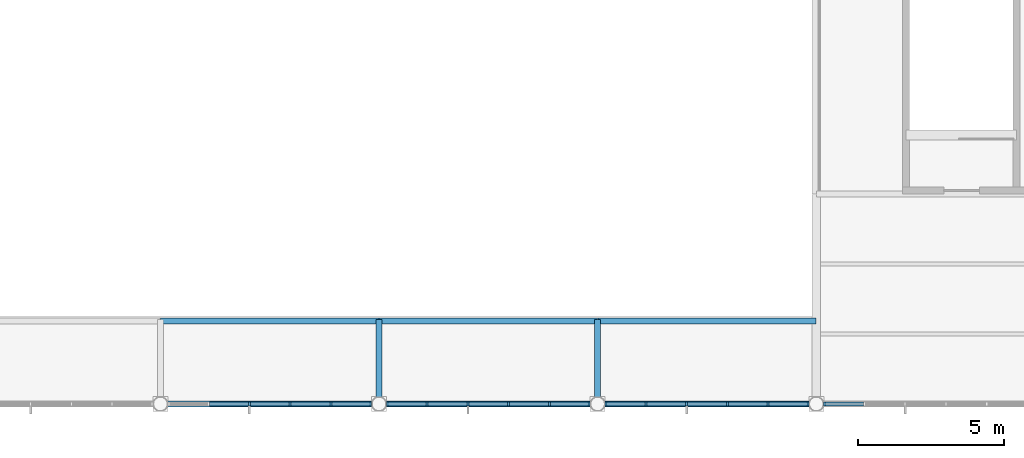
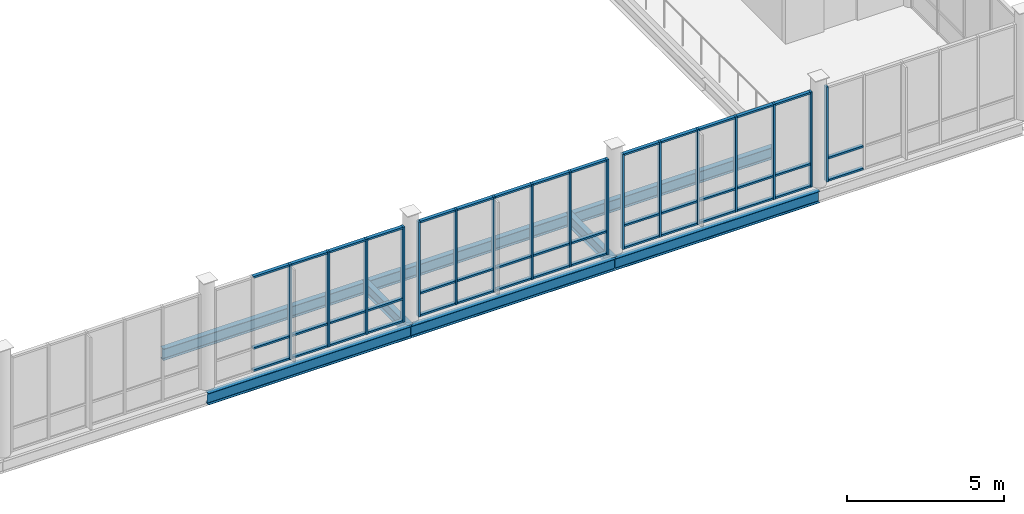
# One storey, part 20 of 75: 61 members, 8 beams, 4 elements without a shape of their own.
"""IFC4 building model written with IfcOpenShell, lengths in metres."""

from ifc_helpers import new_model, si_unit, direction, frame, origin, origin_2d, place, context, subcontext, project, spatial, rectangle, i_section, extrude, material, layer, layer_set, material_profile, profile_set, type_object, element, aggregate, save


model = new_model("IFC4")

# Units and contexts
model_context = context("Model", 3, precision=1e-05, world=origin(), true_north=direction((0.0, 1.0)))
body_context = subcontext(model_context, "Body", "Model", "MODEL_VIEW")
ifc_project = project(units=[si_unit("LENGTHUNIT", "METRE"), si_unit("AREAUNIT", "SQUARE_METRE"), si_unit("VOLUMEUNIT", "CUBIC_METRE"), si_unit("PLANEANGLEUNIT", "RADIAN"), si_unit("MASSUNIT", "GRAM", prefix="KILO")], contexts=[model_context])

# Site, building, storey
site_placement = place(None, origin())
site = spatial("IfcSite", under=ifc_project, at=site_placement, CompositionType="ELEMENT")
building_placement = place(site_placement, origin())
building = spatial("IfcBuilding", under=site, at=building_placement, Name="Yukiwa Park Conservatory and Herbarium", CompositionType="ELEMENT")
storey_placement = place(building_placement, frame((0.0, 0.0, 4.800048828125)))
storey = spatial("IfcBuildingStorey", under=building, at=storey_placement, Name="L01", CompositionType="ELEMENT", Elevation=4.800048828125)

# Beams
ifc_material_1 = material(Name="Steel Q355D", Category="steel")
ifc_material_profile = material_profile(ifc_material_1, i_section(OverallWidth=0.199951171875, OverallDepth=0.449951171875, WebThickness=0.009033203125, FlangeThickness=0.013916015625, FilletRadius=0.01806640625, at=origin_2d()), Name="HN 450x200x9x14")
ifc_profile_set = profile_set([ifc_material_profile], Name="Steel Q355D")
beam_type = type_object("IfcBeamType", Name="BM-GRD-HN450", PredefinedType="BEAM", material=ifc_profile_set)
for number, where, z_axis, x_axis, name in (
    (1, (30.006103515625, 0.0, -0.465087890625), (1.0, 0.0, 0.0), (0.0, 1.0, 0.0), "L01 grid beam X-5"),
    (2, (37.506103515625, 0.0, -0.465087890625), (1.0, 0.0, 0.0), (0.0, 1.0, 0.0), "L01 grid beam X-6"),
    (3, (45.006103515625, 0.0, -0.465087890625), (1.0, 0.0, 0.0), (0.0, 1.0, 0.0), "L01 grid beam X-7"),
    (4, (30.006103515625, 2.85009765625, -0.465087890625), (1.0, 0.0, 0.0), (0.0, 1.0, 0.0), "Conservatory canopy walk edge beam 4"),
):
    element("IfcBeam", number, at=place(storey_placement, frame(where, z_axis=z_axis, x_axis=x_axis)), inside=storey, type_object=beam_type, Name=name, PredefinedType="BEAM", context=body_context, shape_type="SweptSolid", body=[
        extrude(i_section(OverallWidth=0.199951171875, OverallDepth=0.449951171875, WebThickness=0.009033203125, FlangeThickness=0.013916015625, FilletRadius=0.01806640625, at=origin_2d()), origin(), (0.0, 0.0, 1.0), 7.48779296875),
    ])
beam_1_placement = place(storey_placement, frame((37.5, 0.006103515625, -0.465087890625), z_axis=(0.0, 1.0, 0.0), x_axis=(-1.0, 0.0, 0.0)))
element("IfcBeam", 5, at=beam_1_placement, inside=storey, type_object=beam_type, Name="Conservatory canopy walk cantilever bracket 5", PredefinedType="BEAM", context=body_context, shape_type="SweptSolid", body=[
    extrude(i_section(OverallWidth=0.199951171875, OverallDepth=0.449951171875, WebThickness=0.009033203125, FlangeThickness=0.013916015625, FilletRadius=0.01806640625, at=origin_2d()), origin(), (0.0, 0.0, 1.0), 2.893798828125),
])
beam_2_placement = place(storey_placement, frame((37.506103515625, 2.85009765625, -0.465087890625), z_axis=(1.0, 0.0, 0.0), x_axis=(0.0, 1.0, 0.0)))
element("IfcBeam", 6, at=beam_2_placement, inside=storey, type_object=beam_type, Name="Conservatory canopy walk edge beam 5", PredefinedType="BEAM", context=body_context, shape_type="SweptSolid", body=[
    extrude(i_section(OverallWidth=0.199951171875, OverallDepth=0.449951171875, WebThickness=0.009033203125, FlangeThickness=0.013916015625, FilletRadius=0.01806640625, at=origin_2d()), origin(), (0.0, 0.0, 1.0), 7.48779296875),
])
beam_3_placement = place(storey_placement, frame((45.0, 0.006103515625, -0.465087890625), z_axis=(0.0, 1.0, 0.0), x_axis=(-1.0, 0.0, 0.0)))
element("IfcBeam", 7, at=beam_3_placement, inside=storey, type_object=beam_type, Name="Conservatory canopy walk cantilever bracket 6", PredefinedType="BEAM", context=body_context, shape_type="SweptSolid", body=[
    extrude(i_section(OverallWidth=0.199951171875, OverallDepth=0.449951171875, WebThickness=0.009033203125, FlangeThickness=0.013916015625, FilletRadius=0.01806640625, at=origin_2d()), origin(), (0.0, 0.0, 1.0), 2.893798828125),
])
beam_4_placement = place(storey_placement, frame((45.006103515625, 2.85009765625, -0.465087890625), z_axis=(1.0, 0.0, 0.0), x_axis=(0.0, 1.0, 0.0)))
element("IfcBeam", 8, at=beam_4_placement, inside=storey, type_object=beam_type, Name="Conservatory canopy walk edge beam 6", PredefinedType="BEAM", context=body_context, shape_type="SweptSolid", body=[
    extrude(i_section(OverallWidth=0.199951171875, OverallDepth=0.449951171875, WebThickness=0.009033203125, FlangeThickness=0.013916015625, FilletRadius=0.01806640625, at=origin_2d()), origin(), (0.0, 0.0, 1.0), 7.48779296875),
])

# Curtain wall, members
ifc_material_2 = material(Name="Triple Low-E Insulated Glass", Category="glass")
ifc_layer = layer(ifc_material_2, 0.152099609375)
ifc_layer_set = layer_set([ifc_layer], Name="Triple Low-E Insulated Glass")
curtain_wall_type = type_object("IfcCurtainWallType", Name="CW-CONSERVATORY-1500", PredefinedType="NOTDEFINED", material=ifc_layer_set)
curtain_wall_1_placement = place(storey_placement, origin())
curtain_wall_1 = element("IfcCurtainWall", 9, at=curtain_wall_1_placement, inside=storey, type_object=curtain_wall_type, Name="L01 unitised curtain wall CW-L01-030", PredefinedType="NOTDEFINED")
ifc_material_3 = material(Name="Anodised Aluminium", Category="aluminium")
member_type_1 = type_object("IfcMemberType", Name="MB-CW-MUL-70X150", PredefinedType="MULLION", material=ifc_material_3)
member_1_placement = place(storey_placement, frame((33.05078125, 0.0, 0.0), z_axis=(0.0, 0.0, 1.0), x_axis=(1.0, 0.0, 0.0)))
member_1 = element("IfcMember", 10, at=member_1_placement, type_object=member_type_1, Name="CW-L01-030 mullion 3", PredefinedType="MULLION", context=body_context, shape_type="SweptSolid", body=[
    extrude(rectangle(XDim=0.070068359375, YDim=0.14990234375, at=origin_2d()), origin(), (0.0, 0.0, 1.0), 3.699951171875),
])
member_2_placement = place(storey_placement, frame((34.44921875, 0.0, 0.0), z_axis=(0.0, 0.0, 1.0), x_axis=(1.0, 0.0, 0.0)))
member_2 = element("IfcMember", 11, at=member_2_placement, type_object=member_type_1, Name="CW-L01-030 mullion 4", PredefinedType="MULLION", context=body_context, shape_type="SweptSolid", body=[
    extrude(rectangle(XDim=0.070068359375, YDim=0.14990234375, at=origin_2d()), origin(), (0.0, 0.0, 1.0), 3.699951171875),
])
member_3_placement = place(storey_placement, frame((35.84765625, 0.0, 0.0), z_axis=(0.0, 0.0, 1.0), x_axis=(1.0, 0.0, 0.0)))
member_3 = element("IfcMember", 12, at=member_3_placement, type_object=member_type_1, Name="CW-L01-030 mullion 5", PredefinedType="MULLION", context=body_context, shape_type="SweptSolid", body=[
    extrude(rectangle(XDim=0.070068359375, YDim=0.14990234375, at=origin_2d()), origin(), (0.0, 0.0, 1.0), 3.699951171875),
])
member_4_placement = place(storey_placement, frame((37.2109375, 0.0, 0.0), z_axis=(0.0, 0.0, 1.0), x_axis=(1.0, 0.0, 0.0)))
member_4 = element("IfcMember", 13, at=member_4_placement, type_object=member_type_1, Name="CW-L01-030 mullion 6", PredefinedType="MULLION", context=body_context, shape_type="SweptSolid", body=[
    extrude(rectangle(XDim=0.070068359375, YDim=0.14990234375, at=origin_2d()), origin(), (0.0, 0.0, 1.0), 3.699951171875),
])

curtain_wall_2_placement = place(storey_placement, origin())
curtain_wall_2 = element("IfcCurtainWall", 14, at=curtain_wall_2_placement, inside=storey, type_object=curtain_wall_type, Name="L01 unitised curtain wall CW-L01-031", PredefinedType="NOTDEFINED")
member_5_placement = place(storey_placement, frame((37.7890625, 0.0, 0.0), z_axis=(0.0, 0.0, 1.0), x_axis=(1.0, 0.0, 0.0)))
member_5 = element("IfcMember", 15, at=member_5_placement, type_object=member_type_1, Name="CW-L01-031 mullion 1", PredefinedType="MULLION", context=body_context, shape_type="SweptSolid", body=[
    extrude(rectangle(XDim=0.070068359375, YDim=0.14990234375, at=origin_2d()), origin(), (0.0, 0.0, 1.0), 3.699951171875),
])
member_6_placement = place(storey_placement, frame((39.15234375, 0.0, 0.0), z_axis=(0.0, 0.0, 1.0), x_axis=(1.0, 0.0, 0.0)))
member_6 = element("IfcMember", 16, at=member_6_placement, type_object=member_type_1, Name="CW-L01-031 mullion 2", PredefinedType="MULLION", context=body_context, shape_type="SweptSolid", body=[
    extrude(rectangle(XDim=0.070068359375, YDim=0.14990234375, at=origin_2d()), origin(), (0.0, 0.0, 1.0), 3.699951171875),
])
member_7_placement = place(storey_placement, frame((40.55078125, 0.0, 0.0), z_axis=(0.0, 0.0, 1.0), x_axis=(1.0, 0.0, 0.0)))
member_7 = element("IfcMember", 17, at=member_7_placement, type_object=member_type_1, Name="CW-L01-031 mullion 3", PredefinedType="MULLION", context=body_context, shape_type="SweptSolid", body=[
    extrude(rectangle(XDim=0.070068359375, YDim=0.14990234375, at=origin_2d()), origin(), (0.0, 0.0, 1.0), 3.699951171875),
])
member_8_placement = place(storey_placement, frame((41.94921875, 0.0, 0.0), z_axis=(0.0, 0.0, 1.0), x_axis=(1.0, 0.0, 0.0)))
member_8 = element("IfcMember", 18, at=member_8_placement, type_object=member_type_1, Name="CW-L01-031 mullion 4", PredefinedType="MULLION", context=body_context, shape_type="SweptSolid", body=[
    extrude(rectangle(XDim=0.070068359375, YDim=0.14990234375, at=origin_2d()), origin(), (0.0, 0.0, 1.0), 3.699951171875),
])
member_9_placement = place(storey_placement, frame((43.34765625, 0.0, 0.0), z_axis=(0.0, 0.0, 1.0), x_axis=(1.0, 0.0, 0.0)))
member_9 = element("IfcMember", 19, at=member_9_placement, type_object=member_type_1, Name="CW-L01-031 mullion 5", PredefinedType="MULLION", context=body_context, shape_type="SweptSolid", body=[
    extrude(rectangle(XDim=0.070068359375, YDim=0.14990234375, at=origin_2d()), origin(), (0.0, 0.0, 1.0), 3.699951171875),
])
member_10_placement = place(storey_placement, frame((44.7109375, 0.0, 0.0), z_axis=(0.0, 0.0, 1.0), x_axis=(1.0, 0.0, 0.0)))
member_10 = element("IfcMember", 20, at=member_10_placement, type_object=member_type_1, Name="CW-L01-031 mullion 6", PredefinedType="MULLION", context=body_context, shape_type="SweptSolid", body=[
    extrude(rectangle(XDim=0.070068359375, YDim=0.14990234375, at=origin_2d()), origin(), (0.0, 0.0, 1.0), 3.699951171875),
])

curtain_wall_3_placement = place(storey_placement, origin())
curtain_wall_3 = element("IfcCurtainWall", 21, at=curtain_wall_3_placement, inside=storey, type_object=curtain_wall_type, Name="L01 unitised curtain wall CW-L01-032", PredefinedType="NOTDEFINED")
member_11_placement = place(storey_placement, frame((45.2890625, 0.0, 0.0), z_axis=(0.0, 0.0, 1.0), x_axis=(1.0, 0.0, 0.0)))
member_11 = element("IfcMember", 22, at=member_11_placement, type_object=member_type_1, Name="CW-L01-032 mullion 1", PredefinedType="MULLION", context=body_context, shape_type="SweptSolid", body=[
    extrude(rectangle(XDim=0.070068359375, YDim=0.14990234375, at=origin_2d()), origin(), (0.0, 0.0, 1.0), 3.699951171875),
])
member_12_placement = place(storey_placement, frame((46.65234375, 0.0, 0.0), z_axis=(0.0, 0.0, 1.0), x_axis=(1.0, 0.0, 0.0)))
member_12 = element("IfcMember", 23, at=member_12_placement, type_object=member_type_1, Name="CW-L01-032 mullion 2", PredefinedType="MULLION", context=body_context, shape_type="SweptSolid", body=[
    extrude(rectangle(XDim=0.070068359375, YDim=0.14990234375, at=origin_2d()), origin(), (0.0, 0.0, 1.0), 3.699951171875),
])
member_13_placement = place(storey_placement, frame((48.05078125, 0.0, 0.0), z_axis=(0.0, 0.0, 1.0), x_axis=(1.0, 0.0, 0.0)))
member_13 = element("IfcMember", 24, at=member_13_placement, type_object=member_type_1, Name="CW-L01-032 mullion 3", PredefinedType="MULLION", context=body_context, shape_type="SweptSolid", body=[
    extrude(rectangle(XDim=0.070068359375, YDim=0.14990234375, at=origin_2d()), origin(), (0.0, 0.0, 1.0), 3.699951171875),
])
member_14_placement = place(storey_placement, frame((49.44921875, 0.0, 0.0), z_axis=(0.0, 0.0, 1.0), x_axis=(1.0, 0.0, 0.0)))
member_14 = element("IfcMember", 25, at=member_14_placement, type_object=member_type_1, Name="CW-L01-032 mullion 4", PredefinedType="MULLION", context=body_context, shape_type="SweptSolid", body=[
    extrude(rectangle(XDim=0.070068359375, YDim=0.14990234375, at=origin_2d()), origin(), (0.0, 0.0, 1.0), 3.699951171875),
])
member_15_placement = place(storey_placement, frame((50.84765625, 0.0, 0.0), z_axis=(0.0, 0.0, 1.0), x_axis=(1.0, 0.0, 0.0)))
member_15 = element("IfcMember", 26, at=member_15_placement, type_object=member_type_1, Name="CW-L01-032 mullion 5", PredefinedType="MULLION", context=body_context, shape_type="SweptSolid", body=[
    extrude(rectangle(XDim=0.070068359375, YDim=0.14990234375, at=origin_2d()), origin(), (0.0, 0.0, 1.0), 3.699951171875),
])
member_16_placement = place(storey_placement, frame((52.2109375, 0.0, 0.0), z_axis=(0.0, 0.0, 1.0), x_axis=(1.0, 0.0, 0.0)))
member_16 = element("IfcMember", 27, at=member_16_placement, type_object=member_type_1, Name="CW-L01-032 mullion 6", PredefinedType="MULLION", context=body_context, shape_type="SweptSolid", body=[
    extrude(rectangle(XDim=0.070068359375, YDim=0.14990234375, at=origin_2d()), origin(), (0.0, 0.0, 1.0), 3.699951171875),
])

# Curtain wall, member
curtain_wall_4_placement = place(storey_placement, origin())
curtain_wall_4 = element("IfcCurtainWall", 28, at=curtain_wall_4_placement, inside=storey, type_object=curtain_wall_type, Name="L01 unitised curtain wall CW-L01-033", PredefinedType="NOTDEFINED")
member_17_placement = place(storey_placement, frame((52.7890625, 0.0, 0.0), z_axis=(0.0, 0.0, 1.0), x_axis=(1.0, 0.0, 0.0)))
member_17 = element("IfcMember", 29, at=member_17_placement, type_object=member_type_1, Name="CW-L01-033 mullion 1", PredefinedType="MULLION", context=body_context, shape_type="SweptSolid", body=[
    extrude(rectangle(XDim=0.070068359375, YDim=0.14990234375, at=origin_2d()), origin(), (0.0, 0.0, 1.0), 3.699951171875),
])

# Member
ifc_material_4 = material(Name="Anodised Aluminium", Category="aluminium")
member_type_2 = type_object("IfcMemberType", Name="MB-CW-TRN-70X130", PredefinedType="USERDEFINED", material=ifc_material_4)
member_18_placement = place(storey_placement, frame((32.3515625, 0.0, 0.0), z_axis=(0.0, 0.0, 1.0), x_axis=(1.0, 0.0, 0.0)))
member_18 = element("IfcMember", 30, at=member_18_placement, type_object=member_type_2, Name="CW-L01-030 transom 2.1", ObjectType="TRANSOM", PredefinedType="USERDEFINED", context=body_context, shape_type="SweptSolid", body=[
    extrude(rectangle(XDim=1.328369140625, YDim=0.1298828125, at=origin_2d()), origin(), (0.0, 0.0, 1.0), 0.070068359375),
])

member_19_placement = place(storey_placement, frame((32.3515625, 0.0, 0.86474609375), z_axis=(0.0, 0.0, 1.0), x_axis=(1.0, 0.0, 0.0)))
member_19 = element("IfcMember", 31, at=member_19_placement, type_object=member_type_2, Name="CW-L01-030 transom 2.2", ObjectType="TRANSOM", PredefinedType="USERDEFINED", context=body_context, shape_type="SweptSolid", body=[
    extrude(rectangle(XDim=1.328369140625, YDim=0.1298828125, at=origin_2d()), origin(), (0.0, 0.0, 1.0), 0.070068359375),
])

member_20_placement = place(storey_placement, frame((32.3515625, 0.0, 3.6298828125), z_axis=(0.0, 0.0, 1.0), x_axis=(1.0, 0.0, 0.0)))
member_20 = element("IfcMember", 32, at=member_20_placement, type_object=member_type_2, Name="CW-L01-030 transom 2.3", ObjectType="TRANSOM", PredefinedType="USERDEFINED", context=body_context, shape_type="SweptSolid", body=[
    extrude(rectangle(XDim=1.328369140625, YDim=0.1298828125, at=origin_2d()), origin(), (0.0, 0.0, 1.0), 0.070068359375),
])

member_21_placement = place(storey_placement, frame((33.75, 0.0, 0.0), z_axis=(0.0, 0.0, 1.0), x_axis=(1.0, 0.0, 0.0)))
member_21 = element("IfcMember", 33, at=member_21_placement, type_object=member_type_2, Name="CW-L01-030 transom 3.1", ObjectType="TRANSOM", PredefinedType="USERDEFINED", context=body_context, shape_type="SweptSolid", body=[
    extrude(rectangle(XDim=1.328369140625, YDim=0.1298828125, at=origin_2d()), origin(), (0.0, 0.0, 1.0), 0.070068359375),
])

member_22_placement = place(storey_placement, frame((33.75, 0.0, 0.86474609375), z_axis=(0.0, 0.0, 1.0), x_axis=(1.0, 0.0, 0.0)))
member_22 = element("IfcMember", 34, at=member_22_placement, type_object=member_type_2, Name="CW-L01-030 transom 3.2", ObjectType="TRANSOM", PredefinedType="USERDEFINED", context=body_context, shape_type="SweptSolid", body=[
    extrude(rectangle(XDim=1.328369140625, YDim=0.1298828125, at=origin_2d()), origin(), (0.0, 0.0, 1.0), 0.070068359375),
])

member_23_placement = place(storey_placement, frame((33.75, 0.0, 3.6298828125), z_axis=(0.0, 0.0, 1.0), x_axis=(1.0, 0.0, 0.0)))
member_23 = element("IfcMember", 35, at=member_23_placement, type_object=member_type_2, Name="CW-L01-030 transom 3.3", ObjectType="TRANSOM", PredefinedType="USERDEFINED", context=body_context, shape_type="SweptSolid", body=[
    extrude(rectangle(XDim=1.328369140625, YDim=0.1298828125, at=origin_2d()), origin(), (0.0, 0.0, 1.0), 0.070068359375),
])

member_24_placement = place(storey_placement, frame((35.1484375, 0.0, 0.0), z_axis=(0.0, 0.0, 1.0), x_axis=(1.0, 0.0, 0.0)))
member_24 = element("IfcMember", 36, at=member_24_placement, type_object=member_type_2, Name="CW-L01-030 transom 4.1", ObjectType="TRANSOM", PredefinedType="USERDEFINED", context=body_context, shape_type="SweptSolid", body=[
    extrude(rectangle(XDim=1.328369140625, YDim=0.1298828125, at=origin_2d()), origin(), (0.0, 0.0, 1.0), 0.070068359375),
])

member_25_placement = place(storey_placement, frame((35.1484375, 0.0, 0.86474609375), z_axis=(0.0, 0.0, 1.0), x_axis=(1.0, 0.0, 0.0)))
member_25 = element("IfcMember", 37, at=member_25_placement, type_object=member_type_2, Name="CW-L01-030 transom 4.2", ObjectType="TRANSOM", PredefinedType="USERDEFINED", context=body_context, shape_type="SweptSolid", body=[
    extrude(rectangle(XDim=1.328369140625, YDim=0.1298828125, at=origin_2d()), origin(), (0.0, 0.0, 1.0), 0.070068359375),
])

member_26_placement = place(storey_placement, frame((35.1484375, 0.0, 3.6298828125), z_axis=(0.0, 0.0, 1.0), x_axis=(1.0, 0.0, 0.0)))
member_26 = element("IfcMember", 38, at=member_26_placement, type_object=member_type_2, Name="CW-L01-030 transom 4.3", ObjectType="TRANSOM", PredefinedType="USERDEFINED", context=body_context, shape_type="SweptSolid", body=[
    extrude(rectangle(XDim=1.328369140625, YDim=0.1298828125, at=origin_2d()), origin(), (0.0, 0.0, 1.0), 0.070068359375),
])

member_27_placement = place(storey_placement, frame((36.546875, 0.0, 0.0), z_axis=(0.0, 0.0, 1.0), x_axis=(1.0, 0.0, 0.0)))
member_27 = element("IfcMember", 39, at=member_27_placement, type_object=member_type_2, Name="CW-L01-030 transom 5.1", ObjectType="TRANSOM", PredefinedType="USERDEFINED", context=body_context, shape_type="SweptSolid", body=[
    extrude(rectangle(XDim=1.328369140625, YDim=0.1298828125, at=origin_2d()), origin(), (0.0, 0.0, 1.0), 0.070068359375),
])

member_28_placement = place(storey_placement, frame((36.546875, 0.0, 0.86474609375), z_axis=(0.0, 0.0, 1.0), x_axis=(1.0, 0.0, 0.0)))
member_28 = element("IfcMember", 40, at=member_28_placement, type_object=member_type_2, Name="CW-L01-030 transom 5.2", ObjectType="TRANSOM", PredefinedType="USERDEFINED", context=body_context, shape_type="SweptSolid", body=[
    extrude(rectangle(XDim=1.328369140625, YDim=0.1298828125, at=origin_2d()), origin(), (0.0, 0.0, 1.0), 0.070068359375),
])

member_29_placement = place(storey_placement, frame((36.546875, 0.0, 3.6298828125), z_axis=(0.0, 0.0, 1.0), x_axis=(1.0, 0.0, 0.0)))
member_29 = element("IfcMember", 41, at=member_29_placement, type_object=member_type_2, Name="CW-L01-030 transom 5.3", ObjectType="TRANSOM", PredefinedType="USERDEFINED", context=body_context, shape_type="SweptSolid", body=[
    extrude(rectangle(XDim=1.328369140625, YDim=0.1298828125, at=origin_2d()), origin(), (0.0, 0.0, 1.0), 0.070068359375),
])

aggregate(curtain_wall_1, [member_1, member_2, member_3, member_4, member_18, member_19, member_20, member_21, member_22, member_23, member_24, member_25, member_26, member_27, member_28, member_29])

member_30_placement = place(storey_placement, frame((38.453125, 0.0, 0.0), z_axis=(0.0, 0.0, 1.0), x_axis=(1.0, 0.0, 0.0)))
member_30 = element("IfcMember", 42, at=member_30_placement, type_object=member_type_2, Name="CW-L01-031 transom 1.1", ObjectType="TRANSOM", PredefinedType="USERDEFINED", context=body_context, shape_type="SweptSolid", body=[
    extrude(rectangle(XDim=1.328369140625, YDim=0.1298828125, at=origin_2d()), origin(), (0.0, 0.0, 1.0), 0.070068359375),
])

member_31_placement = place(storey_placement, frame((38.453125, 0.0, 0.86474609375), z_axis=(0.0, 0.0, 1.0), x_axis=(1.0, 0.0, 0.0)))
member_31 = element("IfcMember", 43, at=member_31_placement, type_object=member_type_2, Name="CW-L01-031 transom 1.2", ObjectType="TRANSOM", PredefinedType="USERDEFINED", context=body_context, shape_type="SweptSolid", body=[
    extrude(rectangle(XDim=1.328369140625, YDim=0.1298828125, at=origin_2d()), origin(), (0.0, 0.0, 1.0), 0.070068359375),
])

member_32_placement = place(storey_placement, frame((38.453125, 0.0, 3.6298828125), z_axis=(0.0, 0.0, 1.0), x_axis=(1.0, 0.0, 0.0)))
member_32 = element("IfcMember", 44, at=member_32_placement, type_object=member_type_2, Name="CW-L01-031 transom 1.3", ObjectType="TRANSOM", PredefinedType="USERDEFINED", context=body_context, shape_type="SweptSolid", body=[
    extrude(rectangle(XDim=1.328369140625, YDim=0.1298828125, at=origin_2d()), origin(), (0.0, 0.0, 1.0), 0.070068359375),
])

member_33_placement = place(storey_placement, frame((39.8515625, 0.0, 0.0), z_axis=(0.0, 0.0, 1.0), x_axis=(1.0, 0.0, 0.0)))
member_33 = element("IfcMember", 45, at=member_33_placement, type_object=member_type_2, Name="CW-L01-031 transom 2.1", ObjectType="TRANSOM", PredefinedType="USERDEFINED", context=body_context, shape_type="SweptSolid", body=[
    extrude(rectangle(XDim=1.328369140625, YDim=0.1298828125, at=origin_2d()), origin(), (0.0, 0.0, 1.0), 0.070068359375),
])

member_34_placement = place(storey_placement, frame((39.8515625, 0.0, 0.86474609375), z_axis=(0.0, 0.0, 1.0), x_axis=(1.0, 0.0, 0.0)))
member_34 = element("IfcMember", 46, at=member_34_placement, type_object=member_type_2, Name="CW-L01-031 transom 2.2", ObjectType="TRANSOM", PredefinedType="USERDEFINED", context=body_context, shape_type="SweptSolid", body=[
    extrude(rectangle(XDim=1.328369140625, YDim=0.1298828125, at=origin_2d()), origin(), (0.0, 0.0, 1.0), 0.070068359375),
])

member_35_placement = place(storey_placement, frame((39.8515625, 0.0, 3.6298828125), z_axis=(0.0, 0.0, 1.0), x_axis=(1.0, 0.0, 0.0)))
member_35 = element("IfcMember", 47, at=member_35_placement, type_object=member_type_2, Name="CW-L01-031 transom 2.3", ObjectType="TRANSOM", PredefinedType="USERDEFINED", context=body_context, shape_type="SweptSolid", body=[
    extrude(rectangle(XDim=1.328369140625, YDim=0.1298828125, at=origin_2d()), origin(), (0.0, 0.0, 1.0), 0.070068359375),
])

member_36_placement = place(storey_placement, frame((41.25, 0.0, 0.0), z_axis=(0.0, 0.0, 1.0), x_axis=(1.0, 0.0, 0.0)))
member_36 = element("IfcMember", 48, at=member_36_placement, type_object=member_type_2, Name="CW-L01-031 transom 3.1", ObjectType="TRANSOM", PredefinedType="USERDEFINED", context=body_context, shape_type="SweptSolid", body=[
    extrude(rectangle(XDim=1.328369140625, YDim=0.1298828125, at=origin_2d()), origin(), (0.0, 0.0, 1.0), 0.070068359375),
])

member_37_placement = place(storey_placement, frame((41.25, 0.0, 0.86474609375), z_axis=(0.0, 0.0, 1.0), x_axis=(1.0, 0.0, 0.0)))
member_37 = element("IfcMember", 49, at=member_37_placement, type_object=member_type_2, Name="CW-L01-031 transom 3.2", ObjectType="TRANSOM", PredefinedType="USERDEFINED", context=body_context, shape_type="SweptSolid", body=[
    extrude(rectangle(XDim=1.328369140625, YDim=0.1298828125, at=origin_2d()), origin(), (0.0, 0.0, 1.0), 0.070068359375),
])

member_38_placement = place(storey_placement, frame((41.25, 0.0, 3.6298828125), z_axis=(0.0, 0.0, 1.0), x_axis=(1.0, 0.0, 0.0)))
member_38 = element("IfcMember", 50, at=member_38_placement, type_object=member_type_2, Name="CW-L01-031 transom 3.3", ObjectType="TRANSOM", PredefinedType="USERDEFINED", context=body_context, shape_type="SweptSolid", body=[
    extrude(rectangle(XDim=1.328369140625, YDim=0.1298828125, at=origin_2d()), origin(), (0.0, 0.0, 1.0), 0.070068359375),
])

member_39_placement = place(storey_placement, frame((42.6484375, 0.0, 0.0), z_axis=(0.0, 0.0, 1.0), x_axis=(1.0, 0.0, 0.0)))
member_39 = element("IfcMember", 51, at=member_39_placement, type_object=member_type_2, Name="CW-L01-031 transom 4.1", ObjectType="TRANSOM", PredefinedType="USERDEFINED", context=body_context, shape_type="SweptSolid", body=[
    extrude(rectangle(XDim=1.328369140625, YDim=0.1298828125, at=origin_2d()), origin(), (0.0, 0.0, 1.0), 0.070068359375),
])

member_40_placement = place(storey_placement, frame((42.6484375, 0.0, 0.86474609375), z_axis=(0.0, 0.0, 1.0), x_axis=(1.0, 0.0, 0.0)))
member_40 = element("IfcMember", 52, at=member_40_placement, type_object=member_type_2, Name="CW-L01-031 transom 4.2", ObjectType="TRANSOM", PredefinedType="USERDEFINED", context=body_context, shape_type="SweptSolid", body=[
    extrude(rectangle(XDim=1.328369140625, YDim=0.1298828125, at=origin_2d()), origin(), (0.0, 0.0, 1.0), 0.070068359375),
])

member_41_placement = place(storey_placement, frame((42.6484375, 0.0, 3.6298828125), z_axis=(0.0, 0.0, 1.0), x_axis=(1.0, 0.0, 0.0)))
member_41 = element("IfcMember", 53, at=member_41_placement, type_object=member_type_2, Name="CW-L01-031 transom 4.3", ObjectType="TRANSOM", PredefinedType="USERDEFINED", context=body_context, shape_type="SweptSolid", body=[
    extrude(rectangle(XDim=1.328369140625, YDim=0.1298828125, at=origin_2d()), origin(), (0.0, 0.0, 1.0), 0.070068359375),
])

member_42_placement = place(storey_placement, frame((44.046875, 0.0, 0.0), z_axis=(0.0, 0.0, 1.0), x_axis=(1.0, 0.0, 0.0)))
member_42 = element("IfcMember", 54, at=member_42_placement, type_object=member_type_2, Name="CW-L01-031 transom 5.1", ObjectType="TRANSOM", PredefinedType="USERDEFINED", context=body_context, shape_type="SweptSolid", body=[
    extrude(rectangle(XDim=1.328369140625, YDim=0.1298828125, at=origin_2d()), origin(), (0.0, 0.0, 1.0), 0.070068359375),
])

member_43_placement = place(storey_placement, frame((44.046875, 0.0, 0.86474609375), z_axis=(0.0, 0.0, 1.0), x_axis=(1.0, 0.0, 0.0)))
member_43 = element("IfcMember", 55, at=member_43_placement, type_object=member_type_2, Name="CW-L01-031 transom 5.2", ObjectType="TRANSOM", PredefinedType="USERDEFINED", context=body_context, shape_type="SweptSolid", body=[
    extrude(rectangle(XDim=1.328369140625, YDim=0.1298828125, at=origin_2d()), origin(), (0.0, 0.0, 1.0), 0.070068359375),
])

member_44_placement = place(storey_placement, frame((44.046875, 0.0, 3.6298828125), z_axis=(0.0, 0.0, 1.0), x_axis=(1.0, 0.0, 0.0)))
member_44 = element("IfcMember", 56, at=member_44_placement, type_object=member_type_2, Name="CW-L01-031 transom 5.3", ObjectType="TRANSOM", PredefinedType="USERDEFINED", context=body_context, shape_type="SweptSolid", body=[
    extrude(rectangle(XDim=1.328369140625, YDim=0.1298828125, at=origin_2d()), origin(), (0.0, 0.0, 1.0), 0.070068359375),
])

aggregate(curtain_wall_2, [member_5, member_6, member_7, member_8, member_9, member_10, member_30, member_31, member_32, member_33, member_34, member_35, member_36, member_37, member_38, member_39, member_40, member_41, member_42, member_43, member_44])

member_45_placement = place(storey_placement, frame((45.953125, 0.0, 0.0), z_axis=(0.0, 0.0, 1.0), x_axis=(1.0, 0.0, 0.0)))
member_45 = element("IfcMember", 57, at=member_45_placement, type_object=member_type_2, Name="CW-L01-032 transom 1.1", ObjectType="TRANSOM", PredefinedType="USERDEFINED", context=body_context, shape_type="SweptSolid", body=[
    extrude(rectangle(XDim=1.328369140625, YDim=0.1298828125, at=origin_2d()), origin(), (0.0, 0.0, 1.0), 0.070068359375),
])

member_46_placement = place(storey_placement, frame((45.953125, 0.0, 0.86474609375), z_axis=(0.0, 0.0, 1.0), x_axis=(1.0, 0.0, 0.0)))
member_46 = element("IfcMember", 58, at=member_46_placement, type_object=member_type_2, Name="CW-L01-032 transom 1.2", ObjectType="TRANSOM", PredefinedType="USERDEFINED", context=body_context, shape_type="SweptSolid", body=[
    extrude(rectangle(XDim=1.328369140625, YDim=0.1298828125, at=origin_2d()), origin(), (0.0, 0.0, 1.0), 0.070068359375),
])

member_47_placement = place(storey_placement, frame((45.953125, 0.0, 3.6298828125), z_axis=(0.0, 0.0, 1.0), x_axis=(1.0, 0.0, 0.0)))
member_47 = element("IfcMember", 59, at=member_47_placement, type_object=member_type_2, Name="CW-L01-032 transom 1.3", ObjectType="TRANSOM", PredefinedType="USERDEFINED", context=body_context, shape_type="SweptSolid", body=[
    extrude(rectangle(XDim=1.328369140625, YDim=0.1298828125, at=origin_2d()), origin(), (0.0, 0.0, 1.0), 0.070068359375),
])

member_48_placement = place(storey_placement, frame((47.3515625, 0.0, 0.0), z_axis=(0.0, 0.0, 1.0), x_axis=(1.0, 0.0, 0.0)))
member_48 = element("IfcMember", 60, at=member_48_placement, type_object=member_type_2, Name="CW-L01-032 transom 2.1", ObjectType="TRANSOM", PredefinedType="USERDEFINED", context=body_context, shape_type="SweptSolid", body=[
    extrude(rectangle(XDim=1.328369140625, YDim=0.1298828125, at=origin_2d()), origin(), (0.0, 0.0, 1.0), 0.070068359375),
])

member_49_placement = place(storey_placement, frame((47.3515625, 0.0, 0.86474609375), z_axis=(0.0, 0.0, 1.0), x_axis=(1.0, 0.0, 0.0)))
member_49 = element("IfcMember", 61, at=member_49_placement, type_object=member_type_2, Name="CW-L01-032 transom 2.2", ObjectType="TRANSOM", PredefinedType="USERDEFINED", context=body_context, shape_type="SweptSolid", body=[
    extrude(rectangle(XDim=1.328369140625, YDim=0.1298828125, at=origin_2d()), origin(), (0.0, 0.0, 1.0), 0.070068359375),
])

member_50_placement = place(storey_placement, frame((47.3515625, 0.0, 3.6298828125), z_axis=(0.0, 0.0, 1.0), x_axis=(1.0, 0.0, 0.0)))
member_50 = element("IfcMember", 62, at=member_50_placement, type_object=member_type_2, Name="CW-L01-032 transom 2.3", ObjectType="TRANSOM", PredefinedType="USERDEFINED", context=body_context, shape_type="SweptSolid", body=[
    extrude(rectangle(XDim=1.328369140625, YDim=0.1298828125, at=origin_2d()), origin(), (0.0, 0.0, 1.0), 0.070068359375),
])

member_51_placement = place(storey_placement, frame((48.75, 0.0, 0.0), z_axis=(0.0, 0.0, 1.0), x_axis=(1.0, 0.0, 0.0)))
member_51 = element("IfcMember", 63, at=member_51_placement, type_object=member_type_2, Name="CW-L01-032 transom 3.1", ObjectType="TRANSOM", PredefinedType="USERDEFINED", context=body_context, shape_type="SweptSolid", body=[
    extrude(rectangle(XDim=1.328369140625, YDim=0.1298828125, at=origin_2d()), origin(), (0.0, 0.0, 1.0), 0.070068359375),
])

member_52_placement = place(storey_placement, frame((48.75, 0.0, 0.86474609375), z_axis=(0.0, 0.0, 1.0), x_axis=(1.0, 0.0, 0.0)))
member_52 = element("IfcMember", 64, at=member_52_placement, type_object=member_type_2, Name="CW-L01-032 transom 3.2", ObjectType="TRANSOM", PredefinedType="USERDEFINED", context=body_context, shape_type="SweptSolid", body=[
    extrude(rectangle(XDim=1.328369140625, YDim=0.1298828125, at=origin_2d()), origin(), (0.0, 0.0, 1.0), 0.070068359375),
])

member_53_placement = place(storey_placement, frame((48.75, 0.0, 3.6298828125), z_axis=(0.0, 0.0, 1.0), x_axis=(1.0, 0.0, 0.0)))
member_53 = element("IfcMember", 65, at=member_53_placement, type_object=member_type_2, Name="CW-L01-032 transom 3.3", ObjectType="TRANSOM", PredefinedType="USERDEFINED", context=body_context, shape_type="SweptSolid", body=[
    extrude(rectangle(XDim=1.328369140625, YDim=0.1298828125, at=origin_2d()), origin(), (0.0, 0.0, 1.0), 0.070068359375),
])

member_54_placement = place(storey_placement, frame((50.1484375, 0.0, 0.0), z_axis=(0.0, 0.0, 1.0), x_axis=(1.0, 0.0, 0.0)))
member_54 = element("IfcMember", 66, at=member_54_placement, type_object=member_type_2, Name="CW-L01-032 transom 4.1", ObjectType="TRANSOM", PredefinedType="USERDEFINED", context=body_context, shape_type="SweptSolid", body=[
    extrude(rectangle(XDim=1.328369140625, YDim=0.1298828125, at=origin_2d()), origin(), (0.0, 0.0, 1.0), 0.070068359375),
])

member_55_placement = place(storey_placement, frame((50.1484375, 0.0, 0.86474609375), z_axis=(0.0, 0.0, 1.0), x_axis=(1.0, 0.0, 0.0)))
member_55 = element("IfcMember", 67, at=member_55_placement, type_object=member_type_2, Name="CW-L01-032 transom 4.2", ObjectType="TRANSOM", PredefinedType="USERDEFINED", context=body_context, shape_type="SweptSolid", body=[
    extrude(rectangle(XDim=1.328369140625, YDim=0.1298828125, at=origin_2d()), origin(), (0.0, 0.0, 1.0), 0.070068359375),
])

member_56_placement = place(storey_placement, frame((50.1484375, 0.0, 3.6298828125), z_axis=(0.0, 0.0, 1.0), x_axis=(1.0, 0.0, 0.0)))
member_56 = element("IfcMember", 68, at=member_56_placement, type_object=member_type_2, Name="CW-L01-032 transom 4.3", ObjectType="TRANSOM", PredefinedType="USERDEFINED", context=body_context, shape_type="SweptSolid", body=[
    extrude(rectangle(XDim=1.328369140625, YDim=0.1298828125, at=origin_2d()), origin(), (0.0, 0.0, 1.0), 0.070068359375),
])

member_57_placement = place(storey_placement, frame((51.546875, 0.0, 0.0), z_axis=(0.0, 0.0, 1.0), x_axis=(1.0, 0.0, 0.0)))
member_57 = element("IfcMember", 69, at=member_57_placement, type_object=member_type_2, Name="CW-L01-032 transom 5.1", ObjectType="TRANSOM", PredefinedType="USERDEFINED", context=body_context, shape_type="SweptSolid", body=[
    extrude(rectangle(XDim=1.328369140625, YDim=0.1298828125, at=origin_2d()), origin(), (0.0, 0.0, 1.0), 0.070068359375),
])

member_58_placement = place(storey_placement, frame((51.546875, 0.0, 0.86474609375), z_axis=(0.0, 0.0, 1.0), x_axis=(1.0, 0.0, 0.0)))
member_58 = element("IfcMember", 70, at=member_58_placement, type_object=member_type_2, Name="CW-L01-032 transom 5.2", ObjectType="TRANSOM", PredefinedType="USERDEFINED", context=body_context, shape_type="SweptSolid", body=[
    extrude(rectangle(XDim=1.328369140625, YDim=0.1298828125, at=origin_2d()), origin(), (0.0, 0.0, 1.0), 0.070068359375),
])

member_59_placement = place(storey_placement, frame((51.546875, 0.0, 3.6298828125), z_axis=(0.0, 0.0, 1.0), x_axis=(1.0, 0.0, 0.0)))
member_59 = element("IfcMember", 71, at=member_59_placement, type_object=member_type_2, Name="CW-L01-032 transom 5.3", ObjectType="TRANSOM", PredefinedType="USERDEFINED", context=body_context, shape_type="SweptSolid", body=[
    extrude(rectangle(XDim=1.328369140625, YDim=0.1298828125, at=origin_2d()), origin(), (0.0, 0.0, 1.0), 0.070068359375),
])

aggregate(curtain_wall_3, [member_11, member_12, member_13, member_14, member_15, member_16, member_45, member_46, member_47, member_48, member_49, member_50, member_51, member_52, member_53, member_54, member_55, member_56, member_57, member_58, member_59])

member_60_placement = place(storey_placement, frame((53.453125, 0.0, 0.0), z_axis=(0.0, 0.0, 1.0), x_axis=(1.0, 0.0, 0.0)))
member_60 = element("IfcMember", 72, at=member_60_placement, type_object=member_type_2, Name="CW-L01-033 transom 1.1", ObjectType="TRANSOM", PredefinedType="USERDEFINED", context=body_context, shape_type="SweptSolid", body=[
    extrude(rectangle(XDim=1.328369140625, YDim=0.1298828125, at=origin_2d()), origin(), (0.0, 0.0, 1.0), 0.070068359375),
])

member_61_placement = place(storey_placement, frame((53.453125, 0.0, 0.86474609375), z_axis=(0.0, 0.0, 1.0), x_axis=(1.0, 0.0, 0.0)))
member_61 = element("IfcMember", 73, at=member_61_placement, type_object=member_type_2, Name="CW-L01-033 transom 1.2", ObjectType="TRANSOM", PredefinedType="USERDEFINED", context=body_context, shape_type="SweptSolid", body=[
    extrude(rectangle(XDim=1.328369140625, YDim=0.1298828125, at=origin_2d()), origin(), (0.0, 0.0, 1.0), 0.070068359375),
])

aggregate(curtain_wall_4, [member_17, member_60, member_61])

save(model, "model.ifc")
